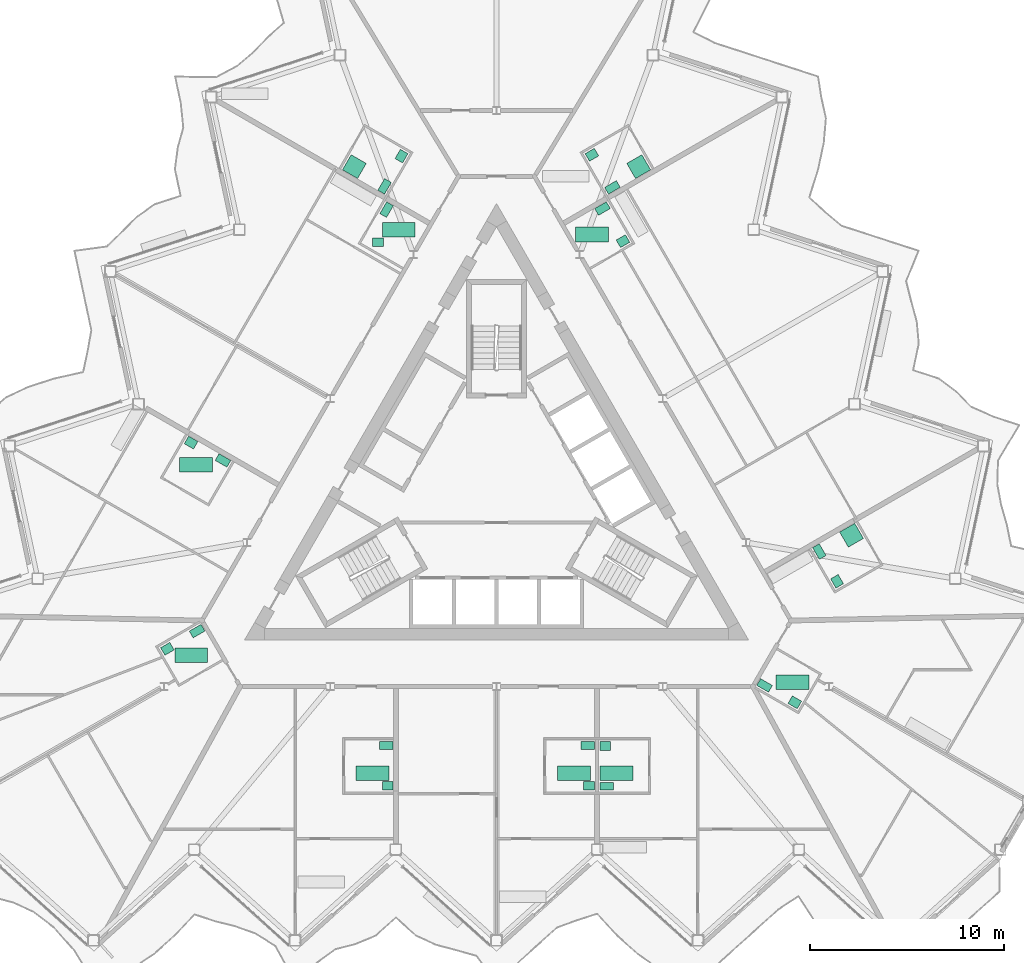
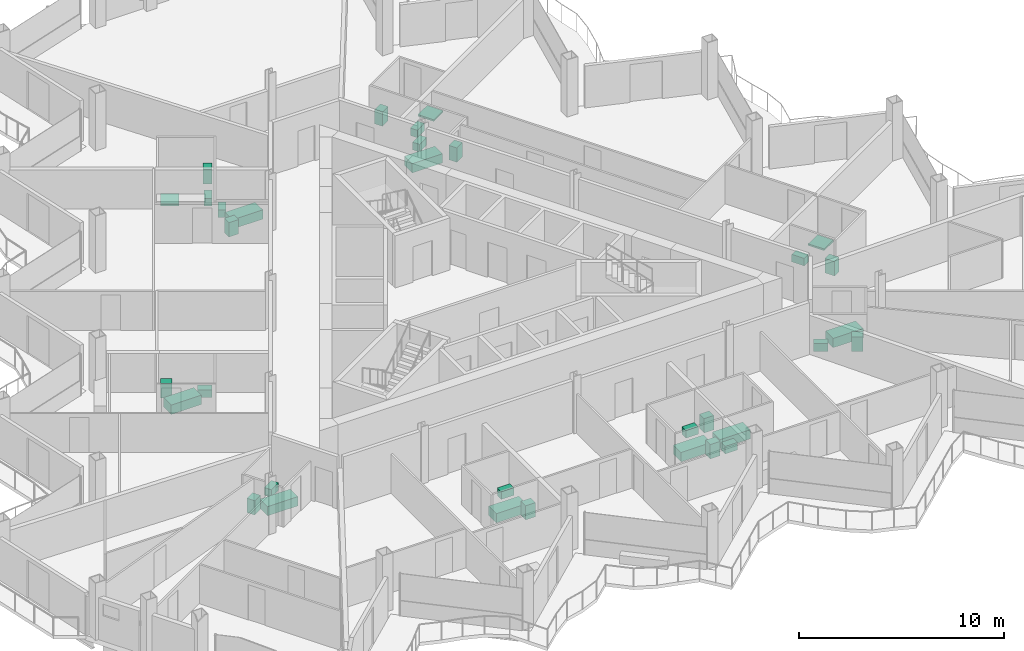
# One storey, part 26 of 27: 33 sanitary terminals.
"""IFC4 building model written with IfcOpenShell, lengths in metres."""

import ifcopenshell
import ifcopenshell.guid

model = None  # the IFC model being written
_history = None  # IfcOwnerHistory: only IFC2X3 demands one
_inside = {}  # id of a spatial element -> (the spatial element, [elements in it])
_under = {}  # id of a project, library or spatial element -> (it, [spatial elements below it])
_declared = {}  # id of a project -> (the project, [libraries it declares])
_typed = {}  # id of a type object -> (the type object, [elements of that type])
_made_of = {}  # id of a material, layer set ... -> (it, [elements and type objects made of it])


def new_model(schema):
    """Start an empty IFC model of exactly this schema.

    Asked for "IFC4X3", IfcOpenShell would pick the latest addendum, in which some entities
    have other attributes; the version numbers below select the first issue.
    IFC2X3 requires an IfcOwnerHistory on every rooted entity: one is made here for all.
    """
    global model, _history
    if schema == "IFC4X3":
        model = ifcopenshell.file(schema_version=(4, 3, 0, 0))
    else:
        model = ifcopenshell.file(schema=schema)
    _inside.clear()
    _under.clear()
    _declared.clear()
    _typed.clear()
    _made_of.clear()
    _history = None
    if model.schema == "IFC2X3":
        org = make("IfcOrganization", Name="unknown")
        user = make(
            "IfcPersonAndOrganization",
            ThePerson=make("IfcPerson", FamilyName="unknown"),
            TheOrganization=org,
        )
        app = make(
            "IfcApplication",
            ApplicationDeveloper=org,
            Version="unknown",
            ApplicationFullName="unknown",
            ApplicationIdentifier="unknown",
        )
        _history = make(
            "IfcOwnerHistory",
            OwningUser=user,
            OwningApplication=app,
            ChangeAction="ADDED",
            CreationDate=0,
        )
    return model


def make(cls, **values):
    """One entity of the class cls with the attributes given. An attribute that is None is left unset."""
    return model.create_entity(
        cls, **{name: value for name, value in values.items() if value is not None}
    )


def rooted(cls, **values):
    """An entity with a GlobalId (a new one), such as an element, a storey or a relation."""
    return make(cls, GlobalId=ifcopenshell.guid.new(), OwnerHistory=_history, **values)


def si_unit(unit_type, name, prefix=None):
    """IfcSIUnit, for example si_unit("LENGTHUNIT", "METRE", prefix="MILLI")."""
    return make("IfcSIUnit", UnitType=unit_type, Prefix=prefix, Name=name)


def assignment(units):
    """IfcUnitAssignment: the units of a project."""
    return None if units is None else make("IfcUnitAssignment", Units=units)


def point(xyz):
    """IfcCartesianPoint."""
    return None if xyz is None else make("IfcCartesianPoint", Coordinates=xyz)


def direction(xyz):
    """IfcDirection."""
    return None if xyz is None else make("IfcDirection", DirectionRatios=xyz)


def frame(location, z_axis=None, x_axis=None):
    """IfcAxis2Placement3D, a coordinate frame: its origin and axes. An axis left out is left unset."""
    return make(
        "IfcAxis2Placement3D",
        Location=point(location),
        Axis=direction(z_axis),
        RefDirection=direction(x_axis),
    )


def frame_2d(location, x_axis=None):
    """IfcAxis2Placement2D, a coordinate frame in the plane: its origin and x axis."""
    return make(
        "IfcAxis2Placement2D", Location=point(location), RefDirection=direction(x_axis)
    )


def origin():
    """The frame at (0, 0, 0) with its axes left unset."""
    return frame((0.0, 0.0, 0.0))


def origin_2d():
    """The frame at (0, 0) in the plane with its x axis left unset."""
    return frame_2d((0.0, 0.0))


def place(relative_to, where):
    """IfcLocalPlacement: puts the frame where relative to a parent placement (None: the world)."""
    return make(
        "IfcLocalPlacement", PlacementRelTo=relative_to, RelativePlacement=where
    )


def context(
    kind, dimensions, precision=None, world=None, true_north=None, identifier=None
):
    """IfcGeometricRepresentationContext, for example the 3D "Model" context."""
    return make(
        "IfcGeometricRepresentationContext",
        ContextIdentifier=identifier,
        ContextType=kind,
        CoordinateSpaceDimension=dimensions,
        Precision=precision,
        WorldCoordinateSystem=world,
        TrueNorth=true_north,
    )


def subcontext(parent, identifier, kind, view, scale=None):
    """IfcGeometricRepresentationSubContext, for example "Body" below "Model"."""
    return make(
        "IfcGeometricRepresentationSubContext",
        ContextIdentifier=identifier,
        ContextType=kind,
        ParentContext=parent,
        TargetScale=scale,
        TargetView=view,
    )


def project(units=None, contexts=None):
    """IfcProject with its units and contexts."""
    return rooted(
        "IfcProject",
        Name="project",
        RepresentationContexts=contexts,
        UnitsInContext=assignment(units),
    )


def spatial(cls, under=None, at=None, **own):
    """A site, building, storey or space (cls), placed at a placement, below another one or the project."""
    s = rooted(cls, ObjectPlacement=at, **own)
    if under is not None:
        _under.setdefault(under.id(), (under, []))[1].append(s)
    return s


def profile(cls, at=None, kind="AREA", **sizes):
    """A parametric profile (cls). Its sizes go by their IFC names, for example OverallWidth=200.0."""
    return make(cls, ProfileType=kind, Position=at, **sizes)


def rectangle(**sizes):
    """IfcRectangleProfileDef."""
    return profile("IfcRectangleProfileDef", **sizes)


def extrude(swept, where, along, depth):
    """IfcExtrudedAreaSolid: the profile swept, set in the frame where, extruded along a direction by depth."""
    return make(
        "IfcExtrudedAreaSolid",
        SweptArea=swept,
        Position=where,
        ExtrudedDirection=direction(along),
        Depth=depth,
    )


def shape(context_of_items, identifier, shape_type, items):
    """IfcShapeRepresentation: the items that make up one representation, for example the "Body"."""
    return make(
        "IfcShapeRepresentation",
        ContextOfItems=context_of_items,
        RepresentationIdentifier=identifier,
        RepresentationType=shape_type,
        Items=items,
    )


def material(Name=None, Category=None):
    """IfcMaterial."""
    return make("IfcMaterial", Name=Name, Category=Category)


def made_of(thing, what):
    """Note that an element or type object is made of a material, layer set ...; save() writes the relation."""
    if what is not None:
        _made_of.setdefault(what.id(), (what, []))[1].append(thing)
    return thing


def type_object(cls, material=None, **own):
    """A type object (cls), such as IfcWallType, which elements share."""
    return made_of(rooted(cls, **own), material)


def element(
    cls,
    number,
    at=None,
    inside=None,
    cuts=None,
    type_object=None,
    material=None,
    context=None,
    identifier="Body",
    shape_type=None,
    held_by="IfcProductDefinitionShape",
    body=None,
    shapes=None,
    **own,
):
    """One element of the class cls, such as IfcWall. Its Tag is "e" and its number.

    at: its placement. inside: the storey or other place that contains it. cuts: it is an
    opening in that element (IfcRelVoidsElement). A single representation is given by context,
    identifier, shape_type and body (its items); several are given by shapes. held_by: the class
    of the entity that holds the representations. save() writes the other relations.
    """
    e = rooted(cls, Tag="e%d" % number, ObjectPlacement=at, **own)
    if body is not None:
        shapes = [shape(context, identifier, shape_type, body)]
    if shapes is not None:
        e.Representation = make(held_by, Representations=shapes)
    if inside is not None:
        _inside.setdefault(inside.id(), (inside, []))[1].append(e)
    if cuts is not None:
        rooted(
            "IfcRelVoidsElement", RelatingBuildingElement=cuts, RelatedOpeningElement=e
        )
    if type_object is not None:
        _typed.setdefault(type_object.id(), (type_object, []))[1].append(e)
    return made_of(e, material)


def aggregate(whole, parts):
    """IfcRelAggregates: a whole, such as a stair, and the parts it consists of."""
    return rooted("IfcRelAggregates", RelatingObject=whole, RelatedObjects=parts)


def save(model, path):
    """Write the relations noted so far, then the file.

    IfcRelAggregates (storeys below a building ...), IfcRelContainedInSpatialStructure (elements
    in a storey), IfcRelDefinesByType, IfcRelAssociatesMaterial and IfcRelDeclares: one each for
    every whole, place, type object, material and project.
    """
    for whole, parts in _under.values():
        aggregate(whole, parts)
    for where, things in _inside.values():
        rooted(
            "IfcRelContainedInSpatialStructure",
            RelatedElements=things,
            RelatingStructure=where,
        )
    for kind, things in _typed.values():
        rooted("IfcRelDefinesByType", RelatedObjects=things, RelatingType=kind)
    for what, things in _made_of.values():
        rooted("IfcRelAssociatesMaterial", RelatedObjects=things, RelatingMaterial=what)
    for by, libraries in _declared.values():
        rooted("IfcRelDeclares", RelatingContext=by, RelatedDefinitions=libraries)
    model.write(path)


model = new_model("IFC4")

# Units and contexts
model_context = context("Model", 3, precision=1e-05, world=origin(), true_north=direction((0.0, 1.0)))
body_context = subcontext(model_context, "Body", "Model", "MODEL_VIEW")
ifc_project = project(units=[si_unit("LENGTHUNIT", "METRE"), si_unit("AREAUNIT", "SQUARE_METRE"), si_unit("VOLUMEUNIT", "CUBIC_METRE"), si_unit("PLANEANGLEUNIT", "RADIAN"), si_unit("MASSUNIT", "GRAM", prefix="KILO")], contexts=[model_context])

# Site, building, storey
site_placement = place(None, origin())
site = spatial("IfcSite", under=ifc_project, at=site_placement, CompositionType="ELEMENT")
building_placement = place(site_placement, origin())
building = spatial("IfcBuilding", under=site, at=building_placement, Name="Cormorant Prow Tower", CompositionType="ELEMENT")
storey_placement = place(building_placement, frame((0.0, 0.0, 312.0)))
storey = spatial("IfcBuildingStorey", under=building, at=storey_placement, Name="L68", CompositionType="ELEMENT", Elevation=312.0)

# Sanitary terminals
ifc_material_1 = material(Name="Vitreous china")
sanitary_terminal_type_1 = type_object("IfcSanitaryTerminalType", Name="Bath 1700x750", PredefinedType="BATH", material=ifc_material_1)
for number, where, z_axis, x_axis, name in (
    (1, (-6.397705078125, -14.385498046875, 0.0), (0.0, 0.0, 1.0), (1.0, 0.0, 0.0), "Bath"),
    (2, (3.98779296875, -14.385498046875, 0.0), (0.0, 0.0, 1.0), (1.0, 0.0, 0.0), "Bath"),
    (3, (6.187744140625, -14.385498046875, 0.0), (0.0, 0.0, 1.0), (1.0, 0.0, 0.0), "Bath"),
    (4, (15.260498046875, -9.70068359375, 0.0), (0.0, 0.0, 1.0), (1.0, 0.0, 0.0), "Bath"),
    (5, (4.915283203125, 13.41357421875, 0.0), (0.0, 0.0, 1.0), (1.0, 0.0, 0.0), "Bath"),
    (6, (-5.044189453125, 13.66357421875, 0.0), (0.0, 0.0, 1.0), (1.0, 0.0, 0.0), "Bath"),
    (7, (-15.50830078125, 1.522216796875, 0.0), (0.0, 0.0, 1.0), (1.0, 0.0, 0.0), "Bath"),
    (8, (-15.75244140625, -8.29248046875, 0.0), (0.0, 0.0, 1.0), (1.0, 0.0, 0.0), "Bath"),
):
    element("IfcSanitaryTerminal", number, at=place(storey_placement, frame(where, z_axis=z_axis, x_axis=x_axis)), inside=storey, type_object=sanitary_terminal_type_1, Name=name, PredefinedType="BATH", context=body_context, shape_type="SweptSolid", body=[
        extrude(rectangle(XDim=1.699951171875, YDim=0.75, at=origin_2d()), origin(), (0.0, 0.0, 1.0), 0.550048828125),
    ])
ifc_material_2 = material(Name="Vitreous china")
sanitary_terminal_type_2 = type_object("IfcSanitaryTerminalType", Name="Shower tray 900x900", PredefinedType="SHOWER", material=ifc_material_2)
for number, where, z_axis, x_axis, name in (
    (9, (18.316650390625, -2.104248046875, 0.0), (0.0, 0.0, 1.0), (0.5, -0.866025403784, 0.0), "Shower tray"),
    (10, (7.3359375, 16.914794921875, 0.0), (0.0, 0.0, 1.0), (-0.866025403784, -0.5, 0.0), "Shower tray"),
    (11, (-7.3359375, 16.914794921875, 0.0), (0.0, 0.0, 1.0), (0.5, 0.866025403784, 0.0), "Shower tray"),
):
    element("IfcSanitaryTerminal", number, at=place(storey_placement, frame(where, z_axis=z_axis, x_axis=x_axis)), inside=storey, type_object=sanitary_terminal_type_2, Name=name, PredefinedType="SHOWER", context=body_context, shape_type="SweptSolid", body=[
        extrude(rectangle(XDim=0.89990234375, YDim=0.89990234375, at=origin_2d()), origin(), (0.0, 0.0, 1.0), 0.10009765625),
    ])
ifc_material_3 = material(Name="Vitreous china")
sanitary_terminal_type_3 = type_object("IfcSanitaryTerminalType", Name="Wash basin 550x450", PredefinedType="WASHHANDBASIN", material=ifc_material_3)
for number, where, z_axis, x_axis, name in (
    (12, (-5.61279296875, -15.03564453125, 0.0), (0.0, 0.0, 1.0), (-1.0, 0.0, 0.0), "Wash basin"),
    (13, (4.772705078125, -15.03564453125, 0.0), (0.0, 0.0, 1.0), (-1.0, 0.0, 0.0), "Wash basin"),
    (14, (5.61279296875, -12.9755859375, 0.0), (0.0, 0.0, 1.0), (1.0, 0.0, 0.0), "Wash basin"),
    (15, (15.390380859375, -10.72509765625, 0.0), (0.0, 0.0, 1.0), (-0.866025403784, 0.5, 0.0), "Wash basin"),
    (16, (17.570068359375, -4.48095703125, 0.0), (0.0, 0.0, 1.0), (-0.5, 0.866025403784, 0.0), "Wash basin"),
    (17, (6.525146484375, 13.069091796875, 0.0), (0.0, 0.0, 1.0), (-0.866025403784, -0.5, 0.0), "Wash basin"),
    (18, (4.922607421875, 17.52490234375, 0.0), (0.0, 0.0, 1.0), (0.866025403784, 0.5, 0.0), "Wash basin"),
    (19, (-4.904296875, 17.45654296875, 0.0), (0.0, 0.0, 1.0), (-0.5, -0.866025403784, 0.0), "Wash basin"),
    (20, (-6.119140625, 13.013427734375, 0.0), (0.0, 0.0, 1.0), (1.0, 0.0, 0.0), "Wash basin"),
    (21, (-15.75927734375, 2.67529296875, 0.0), (0.0, 0.0, 1.0), (0.866025403784, -0.5, 0.0), "Wash basin"),
    (22, (-16.9833984375, -7.966064453125, 0.0), (0.0, 0.0, 1.0), (0.866025403784, 0.5, 0.0), "Wash basin"),
):
    element("IfcSanitaryTerminal", number, at=place(storey_placement, frame(where, z_axis=z_axis, x_axis=x_axis)), inside=storey, type_object=sanitary_terminal_type_3, Name=name, PredefinedType="WASHHANDBASIN", context=body_context, shape_type="SweptSolid", body=[
        extrude(rectangle(XDim=0.550048828125, YDim=0.449951171875, at=origin_2d()), origin(), (0.0, 0.0, 1.0), 0.85009765625),
    ])
ifc_material_4 = material(Name="Vitreous china")
sanitary_terminal_type_4 = type_object("IfcSanitaryTerminalType", Name="Water closet 400x700", PredefinedType="WCSEAT", material=ifc_material_4)
for number, where, z_axis, x_axis, name in (
    (23, (-5.687744140625, -12.95068359375, 0.0), (0.0, 0.0, 1.0), (0.0, -1.0, 0.0), "Water closet"),
    (24, (4.69775390625, -12.95068359375, 0.0), (0.0, 0.0, 1.0), (0.0, -1.0, 0.0), "Water closet"),
    (25, (5.687744140625, -15.060546875, 0.0), (0.0, 0.0, 1.0), (0.0, 1.0, 0.0), "Water closet"),
    (26, (13.83203125, -9.854248046875, 0.0), (0.0, 0.0, 1.0), (0.5, 0.866025403784, 0.0), "Water closet"),
    (27, (16.65576171875, -2.947509765625, 0.0), (0.0, 0.0, 1.0), (0.866025403784, 0.5, 0.0), "Water closet"),
    (28, (5.4677734375, 14.750732421875, 0.0), (0.0, 0.0, 1.0), (0.5, -0.866025403784, 0.0), "Water closet"),
    (29, (5.97998046875, 15.84326171875, 0.0), (0.0, 0.0, 1.0), (-0.5, 0.866025403784, 0.0), "Water closet"),
    (30, (-5.775146484375, 15.898193359375, 0.0), (0.0, 0.0, 1.0), (-0.866025403784, 0.5, 0.0), "Water closet"),
    (31, (-5.672607421875, 14.69580078125, 0.0), (0.0, 0.0, 1.0), (0.866025403784, -0.5, 0.0), "Water closet"),
    (32, (-14.1142578125, 1.75439453125, 0.0), (0.0, 0.0, 1.0), (-0.5, -0.866025403784, 0.0), "Water closet"),
    (33, (-15.4501953125, -7.0517578125, 0.0), (0.0, 0.0, 1.0), (0.5, -0.866025403784, 0.0), "Water closet"),
):
    element("IfcSanitaryTerminal", number, at=place(storey_placement, frame(where, z_axis=z_axis, x_axis=x_axis)), inside=storey, type_object=sanitary_terminal_type_4, Name=name, PredefinedType="WCSEAT", context=body_context, shape_type="SweptSolid", body=[
        extrude(rectangle(XDim=0.39990234375, YDim=0.699951171875, at=origin_2d()), origin(), (0.0, 0.0, 1.0), 0.449951171875),
    ])

save(model, "model.ifc")
